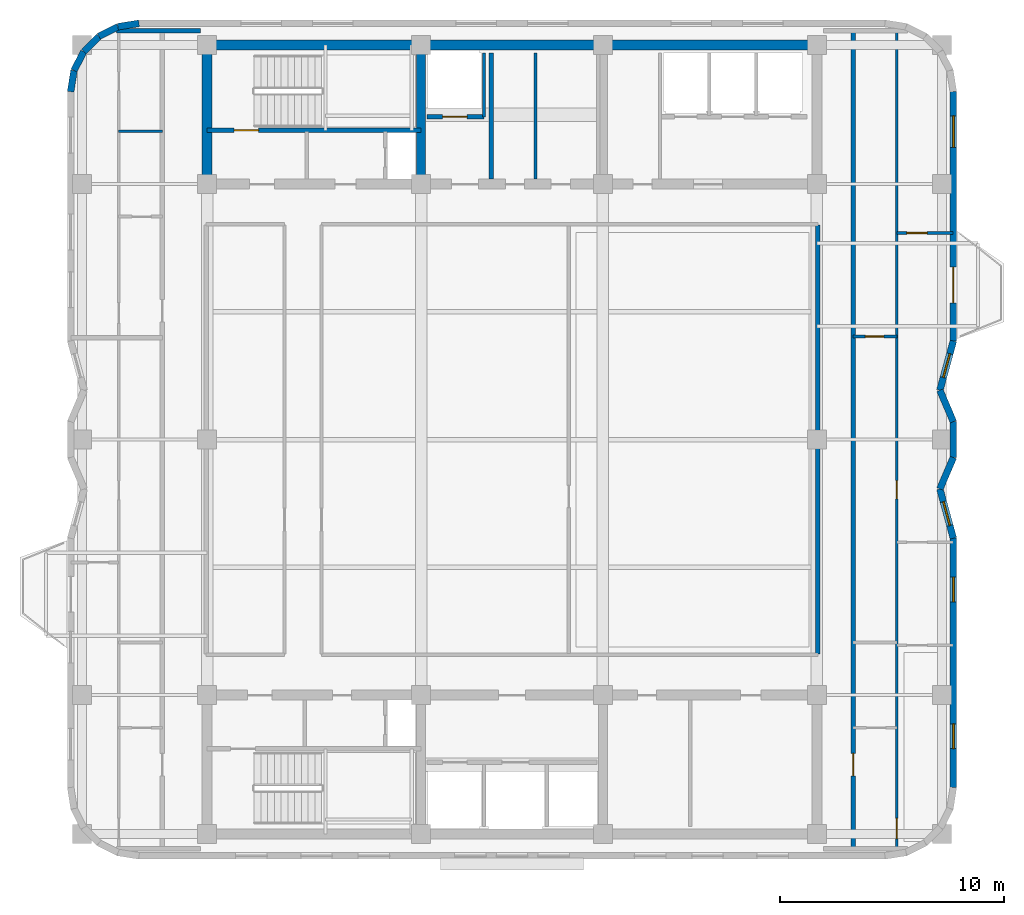
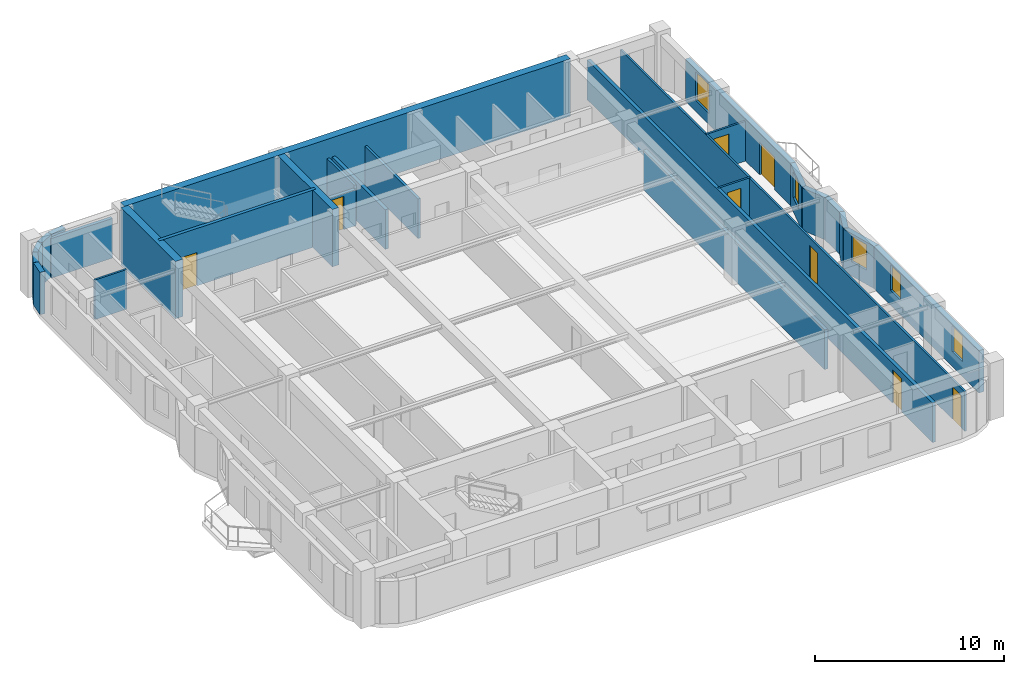
# One storey, part 5 of 8: 27 walls, 8 doors, 5 windows, 13 openings.
"""IFC4 building model written with IfcOpenShell, lengths in metres."""

from ifc_helpers import new_model, si_unit, direction, frame, frame_2d, origin, place, context, subcontext, project, spatial, rectangle, extrude, material, layer, layer_set, type_object, element, fill, save


model = new_model("IFC4")

# Units and contexts
model_context = context("Model", 3, precision=1e-05, world=origin(), true_north=direction((0.0, 1.0)))
body_context = subcontext(model_context, "Body", "Model", "MODEL_VIEW")
ifc_project = project(units=[si_unit("LENGTHUNIT", "METRE"), si_unit("AREAUNIT", "SQUARE_METRE"), si_unit("VOLUMEUNIT", "CUBIC_METRE"), si_unit("PLANEANGLEUNIT", "RADIAN"), si_unit("MASSUNIT", "GRAM", prefix="KILO")], contexts=[model_context])

# Site, building, storey
site_placement = place(None, origin())
site = spatial("IfcSite", under=ifc_project, at=site_placement, CompositionType="ELEMENT")
building_placement = place(site_placement, origin())
building = spatial("IfcBuilding", under=site, at=building_placement, Name="Svetorya Sky Lyceum", CompositionType="ELEMENT")
storey_placement = place(building_placement, frame((0.0, 0.0, 248.0)))
storey = spatial("IfcBuildingStorey", under=building, at=storey_placement, Name="L62", CompositionType="ELEMENT", Elevation=248.0)

# Walls
ifc_material_1 = material(Name="Concrete C40/50", Category="concrete")
ifc_layer_1 = layer(ifc_material_1, 0.39990234375)
ifc_layer_set_1 = layer_set([ifc_layer_1], Name="Concrete C40/50")
wall_type_1 = type_object("IfcWallType", Name="WL-CORE-400", PredefinedType="SHEAR", material=ifc_layer_set_1)
wall_1_placement = place(storey_placement, frame((35.14990234375, 39.824951171875, 0.0), z_axis=(0.0, 0.0, 1.0), x_axis=(0.0, 1.0, 0.0)))
element("IfcWall", 1, at=wall_1_placement, inside=storey, type_object=wall_type_1, Name="L62 NC Internal Shear Web WEB1", PredefinedType="SHEAR", context=body_context, shape_type="SweptSolid", body=[
    extrude(rectangle(XDim=5.75, YDim=0.39990234375, at=frame_2d((2.875, 0.0))), origin(), (0.0, 0.0, 1.0), 3.699951171875),
])
ifc_material_2 = material(Name="Concrete C50/60", Category="concrete")
ifc_layer_2 = layer(ifc_material_2, 0.449951171875)
ifc_layer_set_2 = layer_set([ifc_layer_2], Name="Concrete C50/60")
wall_type_2 = type_object("IfcWallType", Name="WL-CORE-450", PredefinedType="SHEAR", material=ifc_layer_set_2)
wall_2_placement = place(storey_placement, frame((25.60009765625, 45.800048828125, 0.0), z_axis=(0.0, 0.0, 1.0), x_axis=(1.0, 0.0, 0.0)))
element("IfcWall", 2, at=wall_2_placement, inside=storey, type_object=wall_type_2, Name="L62 NC Outer Core Shear Wall", PredefinedType="SHEAR", context=body_context, shape_type="SweptSolid", body=[
    extrude(rectangle(XDim=27.199951171875, YDim=0.449951171875, at=frame_2d((13.60009765625, 0.0))), origin(), (0.0, 0.0, 1.0), 3.699951171875),
])
wall_3_placement = place(storey_placement, frame((25.60009765625, 39.824951171875, 0.0), z_axis=(0.0, 0.0, 1.0), x_axis=(0.0, 1.0, 0.0)))
element("IfcWall", 3, at=wall_3_placement, inside=storey, type_object=wall_type_2, Name="L62 NC West Core Shear Wall", PredefinedType="SHEAR", context=body_context, shape_type="SweptSolid", body=[
    extrude(rectangle(XDim=5.75, YDim=0.449951171875, at=frame_2d((2.875, 0.0))), origin(), (0.0, 0.0, 1.0), 3.699951171875),
])

# Wall, openings, windows
ifc_material_3 = material(Name="Putilovo limestone rainscreen on autoclaved cellular masonry", Category="masonry")
ifc_layer_3 = layer(ifc_material_3, 0.300048828125)
ifc_layer_set_3 = layer_set([ifc_layer_3], Name="Putilovo limestone rainscreen on autoclaved cellular masonry")
wall_type_3 = type_object("IfcWallType", Name="WL-EXT-300", PredefinedType="SOLIDWALL", material=ifc_layer_set_3)
wall_4_placement = place(storey_placement, frame((58.889892578125, 12.679931640625, 0.0), z_axis=(0.0, 0.0, 1.0), x_axis=(0.0, 1.0, 0.0)))
wall_4 = element("IfcWall", 4, at=wall_4_placement, inside=storey, type_object=wall_type_3, Name="L62 Limestone Exterior Wall 12M", PredefinedType="SOLIDWALL", context=body_context, shape_type="SweptSolid", body=[
    extrude(rectangle(XDim=11.1201171875, YDim=0.300048828125, at=frame_2d((5.56005859375, 0.0))), origin(), (0.0, 0.0, 1.0), 2.72998046875),
])
opening_1_placement = place(wall_4_placement, frame((1.73681640625, 0.0, 0.949951171875)))
opening_1 = element("IfcOpeningElement", 5, at=opening_1_placement, cuts=wall_4, Name="Opening W-R3", PredefinedType="OPENING", context=body_context, shape_type="SweptSolid", body=[
    extrude(rectangle(XDim=1.10009765625, YDim=1.64990234375, at=frame_2d((0.550048828125, 0.824951171875))), frame((0.0, 0.159912109375, 0.0), z_axis=(0.0, -1.0, 0.0), x_axis=(1.0, 0.0, 0.0)), (0.0, 0.0, 1.0), 0.320068359375),
])
opening_2_placement = place(wall_4_placement, frame((8.283203125, 0.0, 0.949951171875)))
opening_2 = element("IfcOpeningElement", 6, at=opening_2_placement, cuts=wall_4, Name="Opening W-R3", PredefinedType="OPENING", context=body_context, shape_type="SweptSolid", body=[
    extrude(rectangle(XDim=1.10009765625, YDim=1.64990234375, at=frame_2d((0.550048828125, 0.824951171875))), frame((0.0, 0.159912109375, 0.0), z_axis=(0.0, -1.0, 0.0), x_axis=(1.0, 0.0, 0.0)), (0.0, 0.0, 1.0), 0.320068359375),
])
ifc_material_4 = material(Name="Thermally broken aluminium frame with triple low-E glazing", Category="aluminium")
window_type_1 = type_object("IfcWindowType", Name="WN-RES-110", PartitioningType="SINGLE_PANEL", PredefinedType="WINDOW", material=ifc_material_4)
window_1_placement = place(opening_1_placement, origin())
window_1 = element("IfcWindow", 7, at=window_1_placement, inside=storey, type_object=window_type_1, Name="L62 Facade Window W-R3.12M.1", OverallHeight=1.64990234375, OverallWidth=1.10009765625, PartitioningType="SINGLE_PANEL", PredefinedType="WINDOW", context=body_context, shape_type="SweptSolid", body=[
    extrude(rectangle(XDim=1.10009765625, YDim=1.64990234375, at=frame_2d((0.550048828125, 0.824951171875))), frame((0.0, 0.030029296875, 0.0), z_axis=(0.0, -1.0, 0.0), x_axis=(1.0, 0.0, 0.0)), (0.0, 0.0, 1.0), 0.06005859375),
])
fill(opening_1, window_1)
window_2_placement = place(opening_2_placement, origin())
window_2 = element("IfcWindow", 8, at=window_2_placement, inside=storey, type_object=window_type_1, Name="L62 Facade Window W-R3.12M.2", OverallHeight=1.64990234375, OverallWidth=1.10009765625, PartitioningType="SINGLE_PANEL", PredefinedType="WINDOW", context=body_context, shape_type="SweptSolid", body=[
    extrude(rectangle(XDim=1.10009765625, YDim=1.64990234375, at=frame_2d((0.550048828125, 0.824951171875))), frame((0.0, 0.030029296875, 0.0), z_axis=(0.0, -1.0, 0.0), x_axis=(1.0, 0.0, 0.0)), (0.0, 0.0, 1.0), 0.06005859375),
])
fill(opening_2, window_2)

# Wall, opening, window
wall_5_placement = place(storey_placement, frame((58.889892578125, 23.800048828125, 0.0), z_axis=(0.0, 0.0, 1.0), x_axis=(-0.2630630484, 0.964778644336, 0.0)))
wall_5 = element("IfcWall", 9, at=wall_5_placement, inside=storey, type_object=wall_type_3, Name="L62 Limestone Exterior Wall 13M", PredefinedType="SOLIDWALL", context=body_context, shape_type="SweptSolid", body=[
    extrude(rectangle(XDim=2.2802734375, YDim=0.300048828125, at=frame_2d((1.14013671875, 0.0))), origin(), (0.0, 0.0, 1.0), 2.72998046875),
])
opening_3_placement = place(wall_5_placement, frame((0.590087890625, 0.0, 0.919921875)))
opening_3 = element("IfcOpeningElement", 10, at=opening_3_placement, cuts=wall_5, Name="Opening W-R3", PredefinedType="OPENING", context=body_context, shape_type="SweptSolid", body=[
    extrude(rectangle(XDim=1.10009765625, YDim=1.64990234375, at=frame_2d((0.550048828125, 0.824951171875))), frame((0.0, 0.159912109375, 0.0), z_axis=(0.0, -1.0, 0.0), x_axis=(1.0, 0.0, 0.0)), (0.0, 0.0, 1.0), 0.320068359375),
])
window_3_placement = place(opening_3_placement, origin())
window_3 = element("IfcWindow", 11, at=window_3_placement, inside=storey, type_object=window_type_1, Name="L62 Facade Window W-R3.13M.1", OverallHeight=1.64990234375, OverallWidth=1.10009765625, PartitioningType="SINGLE_PANEL", PredefinedType="WINDOW", context=body_context, shape_type="SweptSolid", body=[
    extrude(rectangle(XDim=1.10009765625, YDim=1.64990234375, at=frame_2d((0.550048828125, 0.824951171875))), frame((0.0, 0.030029296875, 0.0), z_axis=(0.0, -1.0, 0.0), x_axis=(1.0, 0.0, 0.0)), (0.0, 0.0, 1.0), 0.06005859375),
])
fill(opening_3, window_3)

# Walls
wall_6_placement = place(storey_placement, frame((58.2900390625, 26.0, 0.0), z_axis=(0.0, 0.0, 1.0), x_axis=(0.393861257526, 0.919169902586, 0.0)))
element("IfcWall", 12, at=wall_6_placement, inside=storey, type_object=wall_type_3, Name="L62 Limestone Exterior Wall 14M", PredefinedType="SOLIDWALL", context=body_context, shape_type="SweptSolid", body=[
    extrude(rectangle(XDim=1.52294921875, YDim=0.300048828125, at=frame_2d((0.761474609375, 0.0))), origin(), (0.0, 0.0, 1.0), 2.72998046875),
])
wall_7_placement = place(storey_placement, frame((58.889892578125, 27.39990234375, 0.0), z_axis=(0.0, 0.0, 1.0), x_axis=(0.0, 1.0, 0.0)))
element("IfcWall", 13, at=wall_7_placement, inside=storey, type_object=wall_type_3, Name="L62 Limestone Exterior Wall 15M", PredefinedType="SOLIDWALL", context=body_context, shape_type="SweptSolid", body=[
    extrude(rectangle(XDim=1.60009765625, YDim=0.300048828125, at=frame_2d((0.800048828125, 0.0))), origin(), (0.0, 0.0, 1.0), 2.72998046875),
])
wall_8_placement = place(storey_placement, frame((58.889892578125, 29.0, 0.0), z_axis=(0.0, 0.0, 1.0), x_axis=(-0.393861257526, 0.919169902586, 0.0)))
element("IfcWall", 14, at=wall_8_placement, inside=storey, type_object=wall_type_3, Name="L62 Limestone Exterior Wall 16M", PredefinedType="SOLIDWALL", context=body_context, shape_type="SweptSolid", body=[
    extrude(rectangle(XDim=1.52294921875, YDim=0.300048828125, at=frame_2d((0.761474609375, 0.0))), origin(), (0.0, 0.0, 1.0), 2.72998046875),
])

# Wall, opening, window
wall_9_placement = place(storey_placement, frame((58.2900390625, 30.39990234375, 0.0), z_axis=(0.0, 0.0, 1.0), x_axis=(0.263035877812, 0.96478605244, 0.0)))
wall_9 = element("IfcWall", 15, at=wall_9_placement, inside=storey, type_object=wall_type_3, Name="L62 Limestone Exterior Wall 17M", PredefinedType="SOLIDWALL", context=body_context, shape_type="SweptSolid", body=[
    extrude(rectangle(XDim=2.280517578125, YDim=0.300048828125, at=frame_2d((1.14013671875, 0.0))), origin(), (0.0, 0.0, 1.0), 2.72998046875),
])
opening_4_placement = place(wall_9_placement, frame((0.590087890625, 0.0, 0.919921875)))
opening_4 = element("IfcOpeningElement", 16, at=opening_4_placement, cuts=wall_9, Name="Opening W-R3", PredefinedType="OPENING", context=body_context, shape_type="SweptSolid", body=[
    extrude(rectangle(XDim=1.10009765625, YDim=1.64990234375, at=frame_2d((0.550048828125, 0.824951171875))), frame((0.0, 0.159912109375, 0.0), z_axis=(0.0, -1.0, 0.0), x_axis=(1.0, 0.0, 0.0)), (0.0, 0.0, 1.0), 0.320068359375),
])
window_4_placement = place(opening_4_placement, origin())
window_4 = element("IfcWindow", 17, at=window_4_placement, inside=storey, type_object=window_type_1, Name="L62 Facade Window W-R3.17M.1", OverallHeight=1.64990234375, OverallWidth=1.10009765625, PartitioningType="SINGLE_PANEL", PredefinedType="WINDOW", context=body_context, shape_type="SweptSolid", body=[
    extrude(rectangle(XDim=1.10009765625, YDim=1.64990234375, at=frame_2d((0.550048828125, 0.824951171875))), frame((0.0, 0.030029296875, 0.0), z_axis=(0.0, -1.0, 0.0), x_axis=(1.0, 0.0, 0.0)), (0.0, 0.0, 1.0), 0.06005859375),
])
fill(opening_4, window_4)

# Wall, openings, door, window
wall_10_placement = place(storey_placement, frame((58.889892578125, 32.60009765625, 0.0), z_axis=(0.0, 0.0, 1.0), x_axis=(0.0, 1.0, 0.0)))
wall_10 = element("IfcWall", 18, at=wall_10_placement, inside=storey, type_object=wall_type_3, Name="L62 Limestone Exterior Wall 18M", PredefinedType="SOLIDWALL", context=body_context, shape_type="SweptSolid", body=[
    extrude(rectangle(XDim=11.119873046875, YDim=0.300048828125, at=frame_2d((5.56005859375, 0.0))), origin(), (0.0, 0.0, 1.0), 2.72998046875),
])
opening_5_placement = place(wall_10_placement, frame((1.699951171875, 0.0, 0.0)))
opening_5 = element("IfcOpeningElement", 19, at=opening_5_placement, cuts=wall_10, Name="Opening D-BL1", PredefinedType="OPENING", context=body_context, shape_type="SweptSolid", body=[
    extrude(rectangle(XDim=1.60009765625, YDim=2.10009765625, at=frame_2d((0.800048828125, 1.050048828125))), frame((0.0, 0.159912109375, 0.0), z_axis=(0.0, -1.0, 0.0), x_axis=(1.0, 0.0, 0.0)), (0.0, 0.0, 1.0), 0.320068359375),
])
opening_6_placement = place(wall_10_placement, frame((8.639892578125, 0.0, 0.719970703125)))
opening_6 = element("IfcOpeningElement", 20, at=opening_6_placement, cuts=wall_10, Name="Opening W-R2", PredefinedType="OPENING", context=body_context, shape_type="SweptSolid", body=[
    extrude(rectangle(XDim=1.39990234375, YDim=1.85009765625, at=frame_2d((0.699951171875, 0.925048828125))), frame((0.0, 0.159912109375, 0.0), z_axis=(0.0, -1.0, 0.0), x_axis=(1.0, 0.0, 0.0)), (0.0, 0.0, 1.0), 0.320068359375),
])
ifc_material_5 = material(Name="Insulated glazed aluminium balcony door", Category="aluminium")
door_type_1 = type_object("IfcDoorType", Name="DR-BAL-1600", OperationType="DOUBLE_DOOR_SINGLE_SWING", PredefinedType="DOOR", material=ifc_material_5)
door_1_placement = place(opening_5_placement, origin())
door_1 = element("IfcDoor", 21, at=door_1_placement, inside=storey, type_object=door_type_1, Name="L62 Balcony BAL-E1 Door", OperationType="DOUBLE_DOOR_SINGLE_SWING", OverallHeight=2.10009765625, OverallWidth=1.60009765625, PredefinedType="DOOR", context=body_context, shape_type="SweptSolid", body=[
    extrude(rectangle(XDim=1.60009765625, YDim=2.10009765625, at=frame_2d((0.800048828125, 1.050048828125))), frame((0.0, 0.02490234375, 0.0), z_axis=(0.0, -1.0, 0.0), x_axis=(1.0, 0.0, 0.0)), (0.0, 0.0, 1.0), 0.050048828125),
])
fill(opening_5, door_1)
window_type_2 = type_object("IfcWindowType", Name="WN-RES-140", PartitioningType="SINGLE_PANEL", PredefinedType="WINDOW", material=ifc_material_4)
window_5_placement = place(opening_6_placement, origin())
window_5 = element("IfcWindow", 22, at=window_5_placement, inside=storey, type_object=window_type_2, Name="L62 Facade Window W-R2.18M.1", OverallHeight=1.85009765625, OverallWidth=1.39990234375, PartitioningType="SINGLE_PANEL", PredefinedType="WINDOW", context=body_context, shape_type="SweptSolid", body=[
    extrude(rectangle(XDim=1.39990234375, YDim=1.85009765625, at=frame_2d((0.699951171875, 0.925048828125))), frame((0.0, 0.030029296875, 0.0), z_axis=(0.0, -1.0, 0.0), x_axis=(1.0, 0.0, 0.0)), (0.0, 0.0, 1.0), 0.06005859375),
])
fill(opening_6, window_5)

# Walls
wall_11_placement = place(storey_placement, frame((22.56005859375, 46.77001953125, 0.0), z_axis=(0.0, 0.0, 1.0), x_axis=(-0.987669453596, -0.156553666304, 0.0)))
element("IfcWall", 23, at=wall_11_placement, inside=storey, type_object=wall_type_3, Name="L62 Limestone Exterior Wall 25M", PredefinedType="SOLIDWALL", context=body_context, shape_type="SweptSolid", body=[
    extrude(rectangle(XDim=0.954345703125, YDim=0.300048828125, at=frame_2d((0.47705078125, 0.0))), origin(), (0.0, 0.0, 1.0), 2.72998046875),
])
wall_12_placement = place(storey_placement, frame((21.617431640625, 46.62060546875, 0.0), z_axis=(0.0, 0.0, 1.0), x_axis=(-0.891023873617, -0.45395644796, 0.0)))
element("IfcWall", 24, at=wall_12_placement, inside=storey, type_object=wall_type_3, Name="L62 Limestone Exterior Wall 26M", PredefinedType="SOLIDWALL", context=body_context, shape_type="SweptSolid", body=[
    extrude(rectangle(XDim=0.9541015625, YDim=0.300048828125, at=frame_2d((0.47705078125, 0.0))), origin(), (0.0, 0.0, 1.0), 2.72998046875),
])
wall_13_placement = place(storey_placement, frame((20.767333984375, 46.1875, 0.0), z_axis=(0.0, 0.0, 1.0), x_axis=(-0.707106781187, -0.707106781187, 0.0)))
element("IfcWall", 25, at=wall_13_placement, inside=storey, type_object=wall_type_3, Name="L62 Limestone Exterior Wall 27M", PredefinedType="SOLIDWALL", context=body_context, shape_type="SweptSolid", body=[
    extrude(rectangle(XDim=0.954345703125, YDim=0.300048828125, at=frame_2d((0.47705078125, 0.0))), origin(), (0.0, 0.0, 1.0), 2.72998046875),
])
wall_14_placement = place(storey_placement, frame((20.092529296875, 45.5126953125, 0.0), z_axis=(0.0, 0.0, 1.0), x_axis=(-0.454159573051, -0.890920356825, 0.0)))
element("IfcWall", 26, at=wall_14_placement, inside=storey, type_object=wall_type_3, Name="L62 Limestone Exterior Wall 28M", PredefinedType="SOLIDWALL", context=body_context, shape_type="SweptSolid", body=[
    extrude(rectangle(XDim=0.9541015625, YDim=0.300048828125, at=frame_2d((0.47705078125, 0.0))), origin(), (0.0, 0.0, 1.0), 2.72998046875),
])
wall_15_placement = place(storey_placement, frame((19.6591796875, 44.66259765625, 0.0), z_axis=(0.0, 0.0, 1.0), x_axis=(-0.156304114255, -0.987708977314, 0.0)))
element("IfcWall", 27, at=wall_15_placement, inside=storey, type_object=wall_type_3, Name="L62 Limestone Exterior Wall 29M", PredefinedType="SOLIDWALL", context=body_context, shape_type="SweptSolid", body=[
    extrude(rectangle(XDim=0.954345703125, YDim=0.300048828125, at=frame_2d((0.47705078125, 0.0))), origin(), (0.0, 0.0, 1.0), 2.72998046875),
])
ifc_material_6 = material(Name="Twin-stud galvanized framing with double fireboard", Category="gypsum")
ifc_layer_4 = layer(ifc_material_6, 0.1201171875)
ifc_layer_set_4 = layer_set([ifc_layer_4], Name="Twin-stud galvanized framing with double fireboard")
wall_type_4 = type_object("IfcWallType", Name="WL-PART-120", PredefinedType="PARTITIONING", material=ifc_layer_set_4)
wall_16_placement = place(storey_placement, frame((21.64990234375, 41.949951171875, 0.0), z_axis=(0.0, 0.0, 1.0), x_axis=(1.0, 0.0, 0.0)))
element("IfcWall", 28, at=wall_16_placement, inside=storey, type_object=wall_type_4, Name="L62 Interior Partition W2-WH2", PredefinedType="PARTITIONING", context=body_context, shape_type="SweptSolid", body=[
    extrude(rectangle(XDim=1.9501953125, YDim=0.1201171875, at=frame_2d((0.97509765625, 0.0))), origin(), (0.0, 0.0, 1.0), 2.56005859375),
])

# Wall, opening, door
wall_17_placement = place(storey_placement, frame((54.419921875, 32.800048828125, 0.0), z_axis=(0.0, 0.0, 1.0), x_axis=(1.0, 0.0, 0.0)))
wall_17 = element("IfcWall", 29, at=wall_17_placement, inside=storey, type_object=wall_type_4, Name="L62 Interior Partition E1-WH3", PredefinedType="PARTITIONING", context=body_context, shape_type="SweptSolid", body=[
    extrude(rectangle(XDim=1.9501953125, YDim=0.1201171875, at=frame_2d((0.97509765625, 0.0))), origin(), (0.0, 0.0, 1.0), 2.56005859375),
])
opening_7_placement = place(wall_17_placement, frame((0.550048828125, 0.0, 0.0)))
opening_7 = element("IfcOpeningElement", 30, at=opening_7_placement, cuts=wall_17, Name="Opening D-BT2", PredefinedType="OPENING", context=body_context, shape_type="SweptSolid", body=[
    extrude(rectangle(XDim=0.820068359375, YDim=2.080078125, at=frame_2d((0.41015625, 1.0400390625))), frame((0.0, 0.070068359375, 0.0), z_axis=(0.0, -1.0, 0.0), x_axis=(1.0, 0.0, 0.0)), (0.0, 0.0, 1.0), 0.14013671875),
])
ifc_material_7 = material(Name="Compact moisture-resistant laminate closet door")
door_type_2 = type_object("IfcDoorType", Name="DR-WET-820", OperationType="SINGLE_SWING_LEFT", PredefinedType="DOOR", material=ifc_material_7)
door_2_placement = place(opening_7_placement, origin())
door_2 = element("IfcDoor", 31, at=door_2_placement, inside=storey, type_object=door_type_2, Name="Apartment E1 Laundry Door", OperationType="SINGLE_SWING_LEFT", OverallHeight=2.080078125, OverallWidth=0.820068359375, PredefinedType="DOOR", context=body_context, shape_type="SweptSolid", body=[
    extrude(rectangle(XDim=0.820068359375, YDim=2.080078125, at=frame_2d((0.41015625, 1.0400390625))), frame((0.0, 0.02490234375, 0.0), z_axis=(0.0, -1.0, 0.0), x_axis=(1.0, 0.0, 0.0)), (0.0, 0.0, 1.0), 0.050048828125),
])
fill(opening_7, door_2)

wall_18_placement = place(storey_placement, frame((56.3701171875, 37.419921875, 0.0), z_axis=(0.0, 0.0, 1.0), x_axis=(1.0, 0.0, 0.0)))
wall_18 = element("IfcWall", 32, at=wall_18_placement, inside=storey, type_object=wall_type_4, Name="L62 Interior Partition E1-WL3", PredefinedType="PARTITIONING", context=body_context, shape_type="SweptSolid", body=[
    extrude(rectangle(XDim=2.5, YDim=0.1201171875, at=frame_2d((1.25, 0.0))), origin(), (0.0, 0.0, 1.0), 2.56005859375),
])
opening_8_placement = place(wall_18_placement, frame((0.449951171875, 0.0, 0.0)))
opening_8 = element("IfcOpeningElement", 33, at=opening_8_placement, cuts=wall_18, Name="Opening D-RM1", PredefinedType="OPENING", context=body_context, shape_type="SweptSolid", body=[
    extrude(rectangle(XDim=0.89990234375, YDim=2.10009765625, at=frame_2d((0.449951171875, 1.050048828125))), frame((0.0, 0.070068359375, 0.0), z_axis=(0.0, -1.0, 0.0), x_axis=(1.0, 0.0, 0.0)), (0.0, 0.0, 1.0), 0.14013671875),
])
ifc_material_8 = material(Name="Lacquered birch veneer internal door")
door_type_3 = type_object("IfcDoorType", Name="DR-INT-900", OperationType="SINGLE_SWING_LEFT", PredefinedType="DOOR", material=ifc_material_8)
door_3_placement = place(opening_8_placement, origin())
door_3 = element("IfcDoor", 34, at=door_3_placement, inside=storey, type_object=door_type_3, Name="Apartment E1 Bedroom 3 Door", OperationType="SINGLE_SWING_RIGHT", OverallHeight=2.10009765625, OverallWidth=0.89990234375, PredefinedType="DOOR", context=body_context, shape_type="SweptSolid", body=[
    extrude(rectangle(XDim=0.89990234375, YDim=2.10009765625, at=frame_2d((0.449951171875, 1.050048828125))), frame((0.0, 0.02490234375, 0.0), z_axis=(0.0, -1.0, 0.0), x_axis=(1.0, 0.0, 0.0)), (0.0, 0.0, 1.0), 0.050048828125),
])
fill(opening_8, door_3)

# Wall, openings, doors
wall_19_placement = place(storey_placement, frame((56.3701171875, 9.989990234375, 0.0), z_axis=(0.0, 0.0, 1.0), x_axis=(0.0, 1.0, 0.0)))
wall_19 = element("IfcWall", 35, at=wall_19_placement, inside=storey, type_object=wall_type_4, Name="L62 Interior Partition E1-WV", PredefinedType="PARTITIONING", context=body_context, shape_type="SweptSolid", body=[
    extrude(rectangle(XDim=36.419921875, YDim=0.1201171875, at=frame_2d((18.2099609375, 0.0))), origin(), (0.0, 0.0, 1.0), 2.56005859375),
])
opening_9_placement = place(wall_19_placement, frame((0.409912109375, 0.0, 0.0)))
opening_9 = element("IfcOpeningElement", 36, at=opening_9_placement, cuts=wall_19, Name="Opening D-RM1", PredefinedType="OPENING", context=body_context, shape_type="SweptSolid", body=[
    extrude(rectangle(XDim=0.89990234375, YDim=2.10009765625, at=frame_2d((0.449951171875, 1.050048828125))), frame((0.0, 0.070068359375, 0.0), z_axis=(0.0, -1.0, 0.0), x_axis=(1.0, 0.0, 0.0)), (0.0, 0.0, 1.0), 0.14013671875),
])
opening_10_placement = place(wall_19_placement, frame((15.56005859375, 0.0, 0.0)))
opening_10 = element("IfcOpeningElement", 37, at=opening_10_placement, cuts=wall_19, Name="Opening D-BT2", PredefinedType="OPENING", context=body_context, shape_type="SweptSolid", body=[
    extrude(rectangle(XDim=0.820068359375, YDim=2.080078125, at=frame_2d((0.41015625, 1.0400390625))), frame((0.0, 0.070068359375, 0.0), z_axis=(0.0, -1.0, 0.0), x_axis=(1.0, 0.0, 0.0)), (0.0, 0.0, 1.0), 0.14013671875),
])
door_4_placement = place(opening_9_placement, origin())
door_4 = element("IfcDoor", 38, at=door_4_placement, inside=storey, type_object=door_type_3, Name="Apartment E1 Living Door", OperationType="SINGLE_SWING_LEFT", OverallHeight=2.10009765625, OverallWidth=0.89990234375, PredefinedType="DOOR", context=body_context, shape_type="SweptSolid", body=[
    extrude(rectangle(XDim=0.89990234375, YDim=2.10009765625, at=frame_2d((0.449951171875, 1.050048828125))), frame((0.0, 0.02490234375, 0.0), z_axis=(0.0, -1.0, 0.0), x_axis=(1.0, 0.0, 0.0)), (0.0, 0.0, 1.0), 0.050048828125),
])
fill(opening_9, door_4)
door_5_placement = place(opening_10_placement, origin())
door_5 = element("IfcDoor", 39, at=door_5_placement, inside=storey, type_object=door_type_2, Name="Apartment E1 Study Door", OperationType="SINGLE_SWING_RIGHT", OverallHeight=2.080078125, OverallWidth=0.820068359375, PredefinedType="DOOR", context=body_context, shape_type="SweptSolid", body=[
    extrude(rectangle(XDim=0.820068359375, YDim=2.080078125, at=frame_2d((0.41015625, 1.0400390625))), frame((0.0, 0.02490234375, 0.0), z_axis=(0.0, -1.0, 0.0), x_axis=(1.0, 0.0, 0.0)), (0.0, 0.0, 1.0), 0.050048828125),
])
fill(opening_10, door_5)

# Walls
ifc_material_9 = material(Name="Autoclaved cellular masonry blockwork with acoustic render", Category="masonry")
ifc_layer_5 = layer(ifc_material_9, 0.14990234375)
ifc_layer_set_5 = layer_set([ifc_layer_5], Name="Autoclaved cellular masonry blockwork with acoustic render")
wall_type_5 = type_object("IfcWallType", Name="WL-PART-150", PredefinedType="PARTITIONING", material=ifc_layer_set_5)
wall_20_placement = place(storey_placement, frame((37.949951171875, 42.60009765625, 0.0), z_axis=(0.0, 0.0, 1.0), x_axis=(0.0, 1.0, 0.0)))
element("IfcWall", 40, at=wall_20_placement, inside=storey, type_object=wall_type_5, Name="L62 Interior Partition NC-FL1SIDE", PredefinedType="PARTITIONING", context=body_context, shape_type="SweptSolid", body=[
    extrude(rectangle(XDim=2.849853515625, YDim=0.14990234375, at=frame_2d((1.4248046875, 0.0))), origin(), (0.0, 0.0, 1.0), 2.56005859375),
])
wall_21_placement = place(storey_placement, frame((40.25, 39.820068359375, 0.0), z_axis=(0.0, 0.0, 1.0), x_axis=(0.0, 1.0, 0.0)))
element("IfcWall", 41, at=wall_21_placement, inside=storey, type_object=wall_type_5, Name="L62 Interior Partition NC-FPM-V2", PredefinedType="PARTITIONING", context=body_context, shape_type="SweptSolid", body=[
    extrude(rectangle(XDim=5.6298828125, YDim=0.14990234375, at=frame_2d((2.81494140625, 0.0))), origin(), (0.0, 0.0, 1.0), 2.56005859375),
])

# Wall, opening, door
ifc_material_10 = material(Name="Autoclaved cellular masonry blockwork with gypsum plaster", Category="masonry")
ifc_layer_6 = layer(ifc_material_10, 0.199951171875)
ifc_layer_set_6 = layer_set([ifc_layer_6], Name="Autoclaved cellular masonry blockwork with gypsum plaster")
wall_type_6 = type_object("IfcWallType", Name="WL-PART-200", PredefinedType="PARTITIONING", material=ifc_layer_set_6)
wall_22_placement = place(storey_placement, frame((37.949951171875, 42.60009765625, 0.0), z_axis=(0.0, 0.0, 1.0), x_axis=(-1.0, 0.0, 0.0)))
wall_22 = element("IfcWall", 42, at=wall_22_placement, inside=storey, type_object=wall_type_6, Name="L62 Interior Partition NC-FL1W", PredefinedType="PARTITIONING", context=body_context, shape_type="SweptSolid", body=[
    extrude(rectangle(XDim=2.550048828125, YDim=0.199951171875, at=frame_2d((1.27490234375, 0.0))), origin(), (0.0, 0.0, 1.0), 2.330078125),
])
opening_11_placement = place(wall_22_placement, frame((0.75, 0.0, 0.0)))
opening_11 = element("IfcOpeningElement", 43, at=opening_11_placement, cuts=wall_22, Name="Opening LD-FL", PredefinedType="OPENING", context=body_context, shape_type="SweptSolid", body=[
    extrude(rectangle(XDim=1.10009765625, YDim=2.14990234375, at=frame_2d((0.550048828125, 1.074951171875))), frame((0.0, 0.10986328125, 0.0), z_axis=(0.0, -1.0, 0.0), x_axis=(1.0, 0.0, 0.0)), (0.0, 0.0, 1.0), 0.219970703125),
])
ifc_material_11 = material(Name="Fire-rated stainless AISI 304 firefighting lift landing door")
door_type_4 = type_object("IfcDoorType", Name="DR-LIFT-1100", OperationType="SLIDING_TO_LEFT", PredefinedType="DOOR", material=ifc_material_11)
door_6_placement = place(opening_11_placement, origin())
door_6 = element("IfcDoor", 44, at=door_6_placement, inside=storey, type_object=door_type_4, Name="L62 Firefighting Lift FL1 Landing Door", OperationType="SLIDING_TO_LEFT", OverallHeight=2.14990234375, OverallWidth=1.10009765625, PredefinedType="DOOR", context=body_context, shape_type="SweptSolid", body=[
    extrude(rectangle(XDim=1.10009765625, YDim=2.14990234375, at=frame_2d((0.550048828125, 1.074951171875))), frame((0.0, 0.02490234375, 0.0), z_axis=(0.0, -1.0, 0.0), x_axis=(1.0, 0.0, 0.0)), (0.0, 0.0, 1.0), 0.050048828125),
])
fill(opening_11, door_6)

# Walls
wall_23_placement = place(storey_placement, frame((38.280029296875, 39.820068359375, 0.0), z_axis=(0.0, 0.0, 1.0), x_axis=(0.0, 1.0, 0.0)))
element("IfcWall", 45, at=wall_23_placement, inside=storey, type_object=wall_type_6, Name="L62 Interior Partition NC-FFLDIV", PredefinedType="PARTITIONING", context=body_context, shape_type="SweptSolid", body=[
    extrude(rectangle(XDim=5.6298828125, YDim=0.199951171875, at=frame_2d((2.81494140625, 0.0))), origin(), (0.0, 0.0, 1.0), 2.56005859375),
])
wall_24_placement = place(storey_placement, frame((52.85009765625, 18.6298828125, 0.0), z_axis=(0.0, 0.0, 1.0), x_axis=(0.0, 1.0, 0.0)))
element("IfcWall", 46, at=wall_24_placement, inside=storey, type_object=wall_type_6, Name="L62 Interior Partition E-CEN-SEP", PredefinedType="PARTITIONING", context=body_context, shape_type="SweptSolid", body=[
    extrude(rectangle(XDim=19.14013671875, YDim=0.199951171875, at=frame_2d((9.570068359375, 0.0))), origin(), (0.0, 0.0, 1.0), 2.56005859375),
])
wall_25_placement = place(storey_placement, frame((21.5458984375, 46.449951171875, 0.0), z_axis=(0.0, 0.0, 1.0), x_axis=(1.0, 0.0, 0.0)))
element("IfcWall", 47, at=wall_25_placement, inside=storey, type_object=wall_type_6, Name="L62 Interior Partition W-CAP-N", PredefinedType="PARTITIONING", context=body_context, shape_type="SweptSolid", body=[
    extrude(rectangle(XDim=3.754150390625, YDim=0.199951171875, at=frame_2d((1.876953125, 0.0))), origin(), (0.0, 0.0, 1.0), 2.56005859375),
])

# Wall, opening, door
wall_26_placement = place(storey_placement, frame((54.419921875, 9.949951171875, 0.0), z_axis=(0.0, 0.0, 1.0), x_axis=(0.0, 1.0, 0.0)))
wall_26 = element("IfcWall", 48, at=wall_26_placement, inside=storey, type_object=wall_type_6, Name="L62 Interior Partition E-CORRW", PredefinedType="PARTITIONING", context=body_context, shape_type="SweptSolid", body=[
    extrude(rectangle(XDim=36.5, YDim=0.199951171875, at=frame_2d((18.25, 0.0))), origin(), (0.0, 0.0, 1.0), 2.56005859375),
])
opening_12_placement = place(wall_26_placement, frame((3.25, 0.0, 0.0)))
opening_12 = element("IfcOpeningElement", 49, at=opening_12_placement, cuts=wall_26, Name="Opening D-APT1", PredefinedType="OPENING", context=body_context, shape_type="SweptSolid", body=[
    extrude(rectangle(XDim=1.0, YDim=2.14990234375, at=frame_2d((0.5, 1.074951171875))), frame((0.0, 0.10986328125, 0.0), z_axis=(0.0, -1.0, 0.0), x_axis=(1.0, 0.0, 0.0)), (0.0, 0.0, 1.0), 0.219970703125),
])
ifc_material_12 = material(Name="Insulated oak-veneered apartment entrance door")
door_type_5 = type_object("IfcDoorType", Name="DR-APT-1000", OperationType="SINGLE_SWING_LEFT", PredefinedType="DOOR", material=ifc_material_12)
door_7_placement = place(opening_12_placement, origin())
door_7 = element("IfcDoor", 50, at=door_7_placement, inside=storey, type_object=door_type_5, Name="L62 Apartment E1 Entrance Door", OperationType="SINGLE_SWING_RIGHT", OverallHeight=2.14990234375, OverallWidth=1.0, PredefinedType="DOOR", context=body_context, shape_type="SweptSolid", body=[
    extrude(rectangle(XDim=1.0, YDim=2.14990234375, at=frame_2d((0.5, 1.074951171875))), frame((0.0, 0.02490234375, 0.0), z_axis=(0.0, -1.0, 0.0), x_axis=(1.0, 0.0, 0.0)), (0.0, 0.0, 1.0), 0.050048828125),
])
fill(opening_12, door_7)

ifc_layer_7 = layer(ifc_material_2, 0.199951171875)
ifc_layer_set_7 = layer_set([ifc_layer_7], Name="Concrete C50/60")
wall_type_7 = type_object("IfcWallType", Name="WL-SHW-200", PredefinedType="SHEAR", material=ifc_layer_set_7)
wall_27_placement = place(storey_placement, frame((35.14990234375, 42.0, 0.0), z_axis=(0.0, 0.0, 1.0), x_axis=(-1.0, 0.0, 0.0)))
wall_27 = element("IfcWall", 51, at=wall_27_placement, inside=storey, type_object=wall_type_7, Name="L62 Structural Stair Shaft Wall NC-STW", PredefinedType="SHEAR", context=body_context, shape_type="SweptSolid", body=[
    extrude(rectangle(XDim=9.5498046875, YDim=0.199951171875, at=frame_2d((4.77490234375, 0.0))), origin(), (0.0, 0.0, 1.0), 3.699951171875),
])
opening_13_placement = place(wall_27_placement, frame((7.25, 0.0, 0.0)))
opening_13 = element("IfcOpeningElement", 52, at=opening_13_placement, cuts=wall_27, Name="Opening D-ST1", PredefinedType="OPENING", context=body_context, shape_type="SweptSolid", body=[
    extrude(rectangle(XDim=1.10009765625, YDim=2.14990234375, at=frame_2d((0.550048828125, 1.074951171875))), frame((0.0, 0.10986328125, 0.0), z_axis=(0.0, -1.0, 0.0), x_axis=(1.0, 0.0, 0.0)), (0.0, 0.0, 1.0), 0.219970703125),
])
ifc_material_13 = material(Name="Powder-coated insulated galvanized stair fire door")
door_type_6 = type_object("IfcDoorType", Name="DR-FIRE-1100", OperationType="SINGLE_SWING_LEFT", PredefinedType="DOOR", material=ifc_material_13)
door_8_placement = place(opening_13_placement, origin())
door_8 = element("IfcDoor", 53, at=door_8_placement, inside=storey, type_object=door_type_6, Name="L62 Stair ST-N Vestibule Fire Door", OperationType="SINGLE_SWING_RIGHT", OverallHeight=2.14990234375, OverallWidth=1.10009765625, PredefinedType="DOOR", context=body_context, shape_type="SweptSolid", body=[
    extrude(rectangle(XDim=1.10009765625, YDim=2.14990234375, at=frame_2d((0.550048828125, 1.074951171875))), frame((0.0, 0.02490234375, 0.0), z_axis=(0.0, -1.0, 0.0), x_axis=(1.0, 0.0, 0.0)), (0.0, 0.0, 1.0), 0.050048828125),
])
fill(opening_13, door_8)

save(model, "model.ifc")
